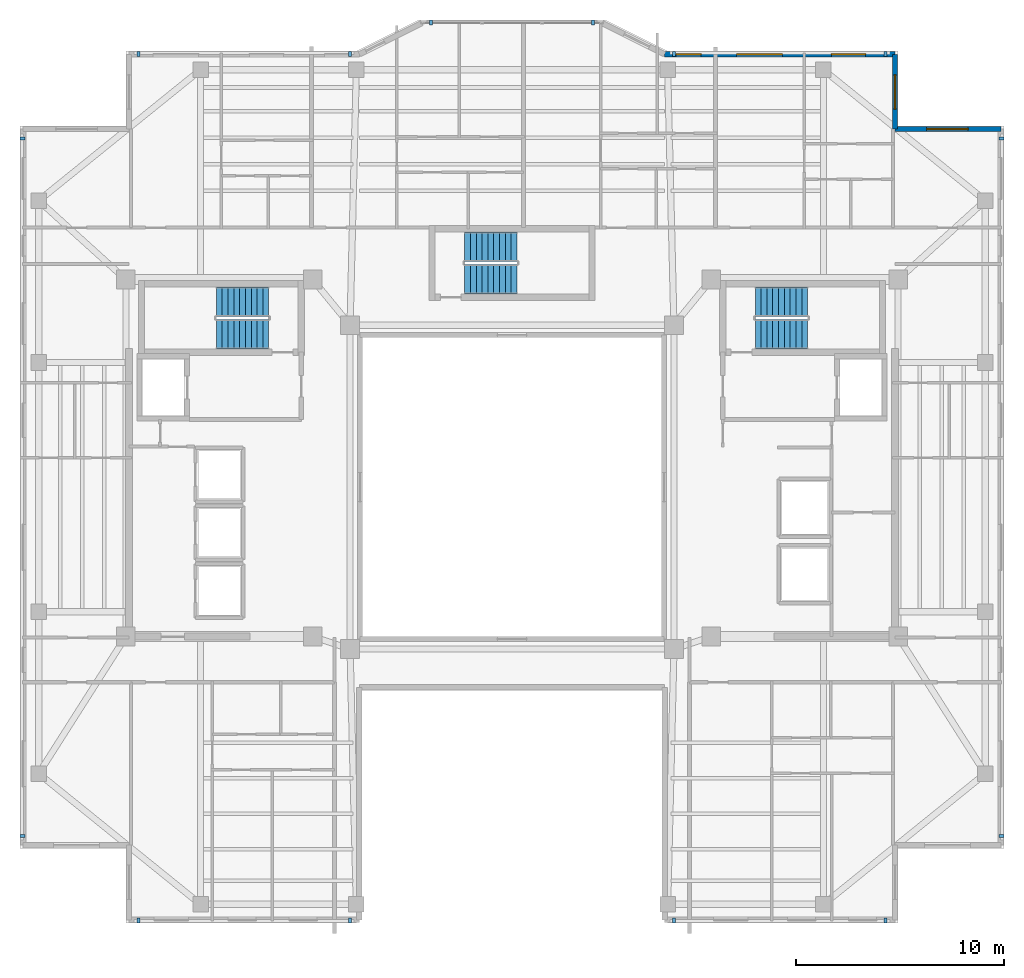
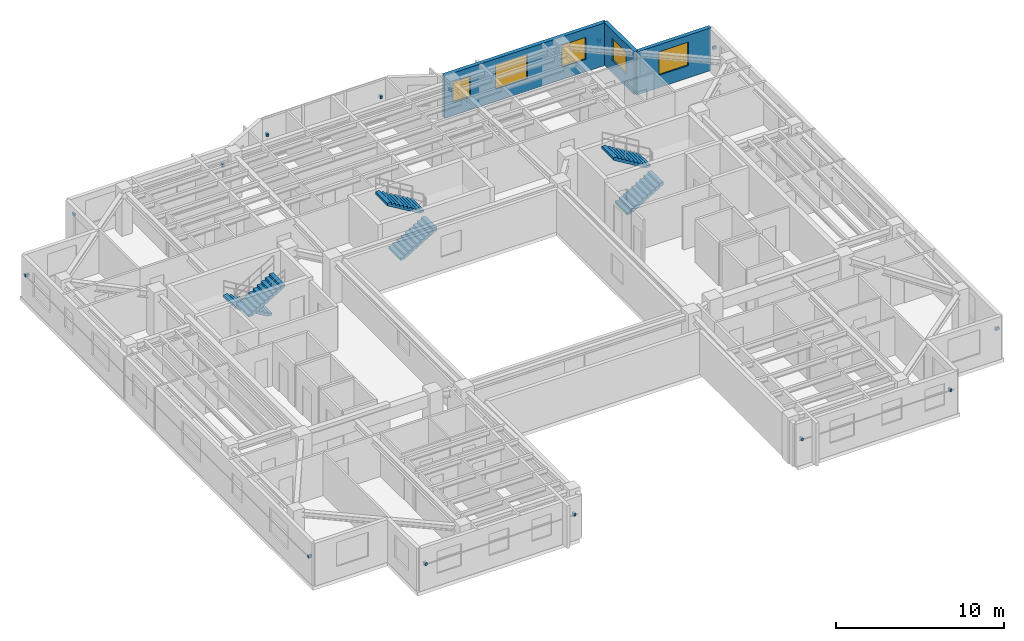
# One storey, part 9 of 12: 14 discrete accessories, 6 stair flights, 5 windows, 3 walls, 5 openings, 3 elements without a shape of their own.
"""IFC4 building model written with IfcOpenShell, lengths in metres."""

from ifc_helpers import new_model, si_unit, direction, frame, frame_2d, origin, origin_2d, place, context, subcontext, project, spatial, polyline, rectangle, outline, extrude, material, layer, layer_set, type_object, element, fill, aggregate, save


model = new_model("IFC4")

# Units and contexts
model_context = context("Model", 3, precision=1e-05, world=origin(), true_north=direction((0.0, 1.0)))
body_context = subcontext(model_context, "Body", "Model", "MODEL_VIEW")
ifc_project = project(units=[si_unit("LENGTHUNIT", "METRE"), si_unit("AREAUNIT", "SQUARE_METRE"), si_unit("VOLUMEUNIT", "CUBIC_METRE"), si_unit("PLANEANGLEUNIT", "RADIAN"), si_unit("MASSUNIT", "GRAM", prefix="KILO")], contexts=[model_context])

# Site, building, storey
site_placement = place(None, origin())
site = spatial("IfcSite", under=ifc_project, at=site_placement, CompositionType="ELEMENT")
building_placement = place(site_placement, origin())
building = spatial("IfcBuilding", under=site, at=building_placement, Name="Tarnavaz Court Tower", CompositionType="ELEMENT")
storey_placement = place(building_placement, frame((0.0, 0.0, 220.39990234375)))
storey = spatial("IfcBuildingStorey", under=building, at=storey_placement, Name="L60", CompositionType="ELEMENT", Elevation=220.39990234375)

# Wall, openings, windows
ifc_material_1 = material(Name="Precast Concrete C40/50", Category="concrete")
ifc_layer = layer(ifc_material_1, 0.260009765625)
ifc_layer_set = layer_set([ifc_layer], Name="Precast Concrete C40/50")
wall_type = type_object("IfcWallType", Name="WL-EXT-260", PredefinedType="SOLIDWALL", material=ifc_layer_set)
wall_1_placement = place(storey_placement, frame((7.35009765625, 20.85009765625, 0.0), z_axis=(0.0, 0.0, 1.0), x_axis=(1.0, 0.0, 0.0)))
wall_1 = element("IfcWall", 1, at=wall_1_placement, inside=storey, type_object=wall_type, Name="L60 Exterior Terracotta Facade Wall 09", PredefinedType="SOLIDWALL", context=body_context, shape_type="SweptSolid", body=[
    extrude(rectangle(XDim=11.099853515625, YDim=0.260009765625, at=frame_2d((5.5498046875, 0.0))), origin(), (0.0, 0.0, 1.0), 3.10009765625),
])
opening_1_placement = place(wall_1_placement, frame((0.55517578125, 0.0, 0.949951171875)))
opening_1 = element("IfcOpeningElement", 2, at=opening_1_placement, cuts=wall_1, Name="Opening W05", PredefinedType="OPENING", context=body_context, shape_type="SweptSolid", body=[
    extrude(rectangle(XDim=1.199951171875, YDim=1.5, at=frame_2d((0.60009765625, 0.75))), frame((0.0, 0.139892578125, 0.0), z_axis=(0.0, -1.0, 0.0), x_axis=(1.0, 0.0, 0.0)), (0.0, 0.0, 1.0), 0.280029296875),
])
opening_2_placement = place(wall_1_placement, frame((3.470703125, 0.0, 0.89990234375)))
opening_2 = element("IfcOpeningElement", 3, at=opening_2_placement, cuts=wall_1, Name="Opening W07", PredefinedType="OPENING", context=body_context, shape_type="SweptSolid", body=[
    extrude(rectangle(XDim=2.199951171875, YDim=1.75, at=frame_2d((1.10009765625, 0.875))), frame((0.0, 0.139892578125, 0.0), z_axis=(0.0, -1.0, 0.0), x_axis=(1.0, 0.0, 0.0)), (0.0, 0.0, 1.0), 0.280029296875),
])
opening_3_placement = place(wall_1_placement, frame((8.039794921875, 0.0, 0.89990234375)))
opening_3 = element("IfcOpeningElement", 4, at=opening_3_placement, cuts=wall_1, Name="Opening W02", PredefinedType="OPENING", context=body_context, shape_type="SweptSolid", body=[
    extrude(rectangle(XDim=1.64990234375, YDim=1.60009765625, at=frame_2d((0.824951171875, 0.800048828125))), frame((0.0, 0.139892578125, 0.0), z_axis=(0.0, -1.0, 0.0), x_axis=(1.0, 0.0, 0.0)), (0.0, 0.0, 1.0), 0.280029296875),
])
ifc_material_2 = material(Name="Double-Glazed Solar Low-E Glass", Category="glass")
window_type_1 = type_object("IfcWindowType", Name="WN-APT-1200", PartitioningType="SINGLE_PANEL", PredefinedType="WINDOW", material=ifc_material_2)
window_1_placement = place(opening_1_placement, origin())
window_1 = element("IfcWindow", 5, at=window_1_placement, inside=storey, type_object=window_type_1, Name="L60 Flat 03 Bedroom 2 Window", OverallHeight=1.5, OverallWidth=1.199951171875, PartitioningType="SINGLE_PANEL", PredefinedType="WINDOW", context=body_context, shape_type="SweptSolid", body=[
    extrude(rectangle(XDim=1.199951171875, YDim=1.5, at=frame_2d((0.60009765625, 0.75))), frame((0.0, 0.030029296875, 0.0), z_axis=(0.0, -1.0, 0.0), x_axis=(1.0, 0.0, 0.0)), (0.0, 0.0, 1.0), 0.06005859375),
])
fill(opening_1, window_1)
window_type_2 = type_object("IfcWindowType", Name="WN-APT-1650", PartitioningType="DOUBLE_PANEL_VERTICAL", PredefinedType="WINDOW", material=ifc_material_2)
window_2_placement = place(opening_3_placement, origin())
window_2 = element("IfcWindow", 6, at=window_2_placement, inside=storey, type_object=window_type_2, Name="L60 Flat 04 Bedroom 1 Window", OverallHeight=1.60009765625, OverallWidth=1.64990234375, PartitioningType="SINGLE_PANEL", PredefinedType="WINDOW", context=body_context, shape_type="SweptSolid", body=[
    extrude(rectangle(XDim=1.64990234375, YDim=1.60009765625, at=frame_2d((0.824951171875, 0.800048828125))), frame((0.0, 0.030029296875, 0.0), z_axis=(0.0, -1.0, 0.0), x_axis=(1.0, 0.0, 0.0)), (0.0, 0.0, 1.0), 0.06005859375),
])
fill(opening_3, window_2)
window_type_3 = type_object("IfcWindowType", Name="WN-APT-2200", PartitioningType="TRIPLE_PANEL_VERTICAL", PredefinedType="WINDOW", material=ifc_material_2)
window_3_placement = place(opening_2_placement, origin())
window_3 = element("IfcWindow", 7, at=window_3_placement, inside=storey, type_object=window_type_3, Name="L60 Flat 04 Living and Dining Room Window", OverallHeight=1.75, OverallWidth=2.199951171875, PartitioningType="SINGLE_PANEL", PredefinedType="WINDOW", context=body_context, shape_type="SweptSolid", body=[
    extrude(rectangle(XDim=2.199951171875, YDim=1.75, at=frame_2d((1.10009765625, 0.875))), frame((0.0, 0.030029296875, 0.0), z_axis=(0.0, -1.0, 0.0), x_axis=(1.0, 0.0, 0.0)), (0.0, 0.0, 1.0), 0.06005859375),
])
fill(opening_2, window_3)

# Wall, opening, window
wall_2_placement = place(storey_placement, frame((18.449951171875, 20.85009765625, 0.0), z_axis=(0.0, 0.0, 1.0), x_axis=(0.0, -1.0, 0.0)))
wall_2 = element("IfcWall", 8, at=wall_2_placement, inside=storey, type_object=wall_type, Name="L60 Exterior Terracotta Facade Wall 10", PredefinedType="SOLIDWALL", context=body_context, shape_type="SweptSolid", body=[
    extrude(rectangle(XDim=3.60009765625, YDim=0.260009765625, at=frame_2d((1.800048828125, 0.0))), origin(), (0.0, 0.0, 1.0), 3.10009765625),
])
opening_4_placement = place(wall_2_placement, frame((0.992431640625, 0.0, 0.89990234375)))
opening_4 = element("IfcOpeningElement", 9, at=opening_4_placement, cuts=wall_2, Name="Opening W02", PredefinedType="OPENING", context=body_context, shape_type="SweptSolid", body=[
    extrude(rectangle(XDim=1.64990234375, YDim=1.60009765625, at=frame_2d((0.824951171875, 0.800048828125))), frame((0.0, 0.139892578125, 0.0), z_axis=(0.0, -1.0, 0.0), x_axis=(1.0, 0.0, 0.0)), (0.0, 0.0, 1.0), 0.280029296875),
])
window_4_placement = place(opening_4_placement, origin())
window_4 = element("IfcWindow", 10, at=window_4_placement, inside=storey, type_object=window_type_2, Name="L60 Flat 04 Bedroom 1 Window", OverallHeight=1.60009765625, OverallWidth=1.64990234375, PartitioningType="SINGLE_PANEL", PredefinedType="WINDOW", context=body_context, shape_type="SweptSolid", body=[
    extrude(rectangle(XDim=1.64990234375, YDim=1.60009765625, at=frame_2d((0.824951171875, 0.800048828125))), frame((0.0, 0.030029296875, 0.0), z_axis=(0.0, -1.0, 0.0), x_axis=(1.0, 0.0, 0.0)), (0.0, 0.0, 1.0), 0.06005859375),
])
fill(opening_4, window_4)

wall_3_placement = place(storey_placement, frame((18.449951171875, 17.25, 0.0), z_axis=(0.0, 0.0, 1.0), x_axis=(1.0, 0.0, 0.0)))
wall_3 = element("IfcWall", 11, at=wall_3_placement, inside=storey, type_object=wall_type, Name="L60 Exterior Terracotta Facade Wall 11", PredefinedType="SOLIDWALL", context=body_context, shape_type="SweptSolid", body=[
    extrude(rectangle(XDim=5.10009765625, YDim=0.260009765625, at=frame_2d((2.550048828125, 0.0))), origin(), (0.0, 0.0, 1.0), 3.10009765625),
])
opening_5_placement = place(wall_3_placement, frame((1.52490234375, 0.0, 0.89990234375)))
opening_5 = element("IfcOpeningElement", 12, at=opening_5_placement, cuts=wall_3, Name="Opening W08", PredefinedType="OPENING", context=body_context, shape_type="SweptSolid", body=[
    extrude(rectangle(XDim=2.0, YDim=1.699951171875, at=frame_2d((1.0, 0.85009765625))), frame((0.0, 0.139892578125, 0.0), z_axis=(0.0, -1.0, 0.0), x_axis=(1.0, 0.0, 0.0)), (0.0, 0.0, 1.0), 0.280029296875),
])
window_type_4 = type_object("IfcWindowType", Name="WN-APT-2000", PartitioningType="DOUBLE_PANEL_VERTICAL", PredefinedType="WINDOW", material=ifc_material_2)
window_5_placement = place(opening_5_placement, origin())
window_5 = element("IfcWindow", 13, at=window_5_placement, inside=storey, type_object=window_type_4, Name="L60 North-East Corner Sunroom Study Window", OverallHeight=1.699951171875, OverallWidth=2.0, PartitioningType="SINGLE_PANEL", PredefinedType="WINDOW", context=body_context, shape_type="SweptSolid", body=[
    extrude(rectangle(XDim=2.0, YDim=1.699951171875, at=frame_2d((1.0, 0.85009765625))), frame((0.0, 0.030029296875, 0.0), z_axis=(0.0, -1.0, 0.0), x_axis=(1.0, 0.0, 0.0)), (0.0, 0.0, 1.0), 0.06005859375),
])
fill(opening_5, window_5)

# Stair, stair flights
ifc_material_3 = material(Name="Concrete C40/50", Category="concrete")
stair_type = type_object("IfcStairType", Name="ST-TWR-20R", PredefinedType="HALF_TURN_STAIR", material=ifc_material_3)
stair_1_placement = place(storey_placement, origin())
stair_1 = element("IfcStair", 14, at=stair_1_placement, inside=storey, type_object=stair_type, Name="L60 West Core Pressurized Exit Stair ST-W1", PredefinedType="HALF_TURN_STAIR")
stair_flight_type = type_object("IfcStairFlightType", Name="SFL-RC-20R", PredefinedType="STRAIGHT", material=ifc_material_3)
stair_flight_1_placement = place(storey_placement, frame((-11.719970703125, 8.929931640625, 0.0), z_axis=(0.0, 0.0, 1.0), x_axis=(-1.0, 0.0, 0.0)))
stair_flight_1 = element("IfcStairFlight", 15, at=stair_flight_1_placement, type_object=stair_flight_type, Name="ST-W1 flight 1", NumberOfRisers=10, NumberOfTreads=9, PredefinedType="STRAIGHT", RiserHeight=0.1675, TreadLength=0.28, context=body_context, shape_type="SweptSolid", body=[
    extrude(outline(polyline([(0.0, 0.0), (0.0, 0.16748046875), (0.280029296875, 0.16748046875), (0.280029296875, 0.3349609375), (0.56005859375, 0.3349609375), (0.56005859375, 0.50244140625), (0.840087890625, 0.50244140625), (0.840087890625, 0.669921875), (1.1201171875, 0.669921875), (1.1201171875, 0.83740234375), (1.39990234375, 0.83740234375), (1.39990234375, 1.0048828125), (1.679931640625, 1.0048828125), (1.679931640625, 1.172607421875), (1.9599609375, 1.172607421875), (1.9599609375, 1.340087890625), (2.239990234375, 1.340087890625), (2.239990234375, 1.507568359375), (2.52001953125, 1.507568359375), (2.52001953125, 1.675048828125), (2.52001953125, 1.332763671875), (0.2919921875, 0.0), (0.0, 0.0)])), frame((0.0, 0.7099609375, 0.0), z_axis=(0.0, -1.0, 0.0), x_axis=(1.0, 0.0, 0.0)), (0.0, 0.0, 1.0), 1.419921875),
])
stair_flight_2_placement = place(storey_placement, frame((-14.239990234375, 7.360107421875, 1.675048828125), z_axis=(0.0, 0.0, 1.0), x_axis=(1.0, 0.0, 0.0)))
stair_flight_2 = element("IfcStairFlight", 16, at=stair_flight_2_placement, type_object=stair_flight_type, Name="ST-W1 flight 2", NumberOfRisers=10, NumberOfTreads=9, PredefinedType="STRAIGHT", RiserHeight=0.1675, TreadLength=0.28, context=body_context, shape_type="SweptSolid", body=[
    extrude(outline(polyline([(0.0, 0.0), (0.0, 0.16748046875), (0.280029296875, 0.16748046875), (0.280029296875, 0.3349609375), (0.56005859375, 0.3349609375), (0.56005859375, 0.50244140625), (0.840087890625, 0.50244140625), (0.840087890625, 0.669921875), (1.1201171875, 0.669921875), (1.1201171875, 0.83740234375), (1.39990234375, 0.83740234375), (1.39990234375, 1.0048828125), (1.679931640625, 1.0048828125), (1.679931640625, 1.172607421875), (1.9599609375, 1.172607421875), (1.9599609375, 1.340087890625), (2.239990234375, 1.340087890625), (2.239990234375, 1.507568359375), (2.52001953125, 1.507568359375), (2.52001953125, 1.675048828125), (2.52001953125, 1.332763671875), (0.2919921875, 0.0), (0.0, 0.0)])), frame((0.0, 0.7099609375, 0.0), z_axis=(0.0, -1.0, 0.0), x_axis=(1.0, 0.0, 0.0)), (0.0, 0.0, 1.0), 1.419921875),
])
aggregate(stair_1, [stair_flight_1, stair_flight_2])

stair_2_placement = place(storey_placement, origin())
stair_2 = element("IfcStair", 17, at=stair_2_placement, inside=storey, type_object=stair_type, Name="L60 East Core Pressurized Exit Stair ST-E1", PredefinedType="HALF_TURN_STAIR")
stair_flight_3_placement = place(storey_placement, frame((11.719970703125, 7.360107421875, 0.0), z_axis=(0.0, 0.0, 1.0), x_axis=(1.0, 0.0, 0.0)))
stair_flight_3 = element("IfcStairFlight", 18, at=stair_flight_3_placement, type_object=stair_flight_type, Name="ST-E1 flight 1", NumberOfRisers=10, NumberOfTreads=9, PredefinedType="STRAIGHT", RiserHeight=0.1675, TreadLength=0.28, context=body_context, shape_type="SweptSolid", body=[
    extrude(outline(polyline([(0.0, 0.0), (0.0, 0.16748046875), (0.280029296875, 0.16748046875), (0.280029296875, 0.3349609375), (0.56005859375, 0.3349609375), (0.56005859375, 0.50244140625), (0.840087890625, 0.50244140625), (0.840087890625, 0.669921875), (1.1201171875, 0.669921875), (1.1201171875, 0.83740234375), (1.39990234375, 0.83740234375), (1.39990234375, 1.0048828125), (1.679931640625, 1.0048828125), (1.679931640625, 1.172607421875), (1.9599609375, 1.172607421875), (1.9599609375, 1.340087890625), (2.239990234375, 1.340087890625), (2.239990234375, 1.507568359375), (2.52001953125, 1.507568359375), (2.52001953125, 1.675048828125), (2.52001953125, 1.332763671875), (0.2919921875, 0.0), (0.0, 0.0)])), frame((0.0, 0.7099609375, 0.0), z_axis=(0.0, -1.0, 0.0), x_axis=(1.0, 0.0, 0.0)), (0.0, 0.0, 1.0), 1.419921875),
])
stair_flight_4_placement = place(storey_placement, frame((14.239990234375, 8.929931640625, 1.675048828125), z_axis=(0.0, 0.0, 1.0), x_axis=(-1.0, 0.0, 0.0)))
stair_flight_4 = element("IfcStairFlight", 19, at=stair_flight_4_placement, type_object=stair_flight_type, Name="ST-E1 flight 2", NumberOfRisers=10, NumberOfTreads=9, PredefinedType="STRAIGHT", RiserHeight=0.1675, TreadLength=0.28, context=body_context, shape_type="SweptSolid", body=[
    extrude(outline(polyline([(0.0, 0.0), (0.0, 0.16748046875), (0.280029296875, 0.16748046875), (0.280029296875, 0.3349609375), (0.56005859375, 0.3349609375), (0.56005859375, 0.50244140625), (0.840087890625, 0.50244140625), (0.840087890625, 0.669921875), (1.1201171875, 0.669921875), (1.1201171875, 0.83740234375), (1.39990234375, 0.83740234375), (1.39990234375, 1.0048828125), (1.679931640625, 1.0048828125), (1.679931640625, 1.172607421875), (1.9599609375, 1.172607421875), (1.9599609375, 1.340087890625), (2.239990234375, 1.340087890625), (2.239990234375, 1.507568359375), (2.52001953125, 1.507568359375), (2.52001953125, 1.675048828125), (2.52001953125, 1.332763671875), (0.2919921875, 0.0), (0.0, 0.0)])), frame((0.0, 0.7099609375, 0.0), z_axis=(0.0, -1.0, 0.0), x_axis=(1.0, 0.0, 0.0)), (0.0, 0.0, 1.0), 1.419921875),
])
aggregate(stair_2, [stair_flight_3, stair_flight_4])

stair_3_placement = place(storey_placement, origin())
stair_3 = element("IfcStair", 20, at=stair_3_placement, inside=storey, type_object=stair_type, Name="L60 North Ring Pressurized Exit Stair ST-N1", PredefinedType="HALF_TURN_STAIR")
stair_flight_5_placement = place(storey_placement, frame((-2.280029296875, 10.010009765625, 0.0), z_axis=(0.0, 0.0, 1.0), x_axis=(1.0, 0.0, 0.0)))
stair_flight_5 = element("IfcStairFlight", 21, at=stair_flight_5_placement, type_object=stair_flight_type, Name="ST-N1 flight 1", NumberOfRisers=10, NumberOfTreads=9, PredefinedType="STRAIGHT", RiserHeight=0.1675, TreadLength=0.28, context=body_context, shape_type="SweptSolid", body=[
    extrude(outline(polyline([(0.0, 0.0), (0.0, 0.16748046875), (0.280029296875, 0.16748046875), (0.280029296875, 0.3349609375), (0.56005859375, 0.3349609375), (0.56005859375, 0.50244140625), (0.840087890625, 0.50244140625), (0.840087890625, 0.669921875), (1.1201171875, 0.669921875), (1.1201171875, 0.83740234375), (1.39990234375, 0.83740234375), (1.39990234375, 1.0048828125), (1.679931640625, 1.0048828125), (1.679931640625, 1.172607421875), (1.9599609375, 1.172607421875), (1.9599609375, 1.340087890625), (2.239990234375, 1.340087890625), (2.239990234375, 1.507568359375), (2.52001953125, 1.507568359375), (2.52001953125, 1.675048828125), (2.52001953125, 1.332763671875), (0.2919921875, 0.0), (0.0, 0.0)])), frame((0.0, 0.7099609375, 0.0), z_axis=(0.0, -1.0, 0.0), x_axis=(1.0, 0.0, 0.0)), (0.0, 0.0, 1.0), 1.419921875),
])
stair_flight_6_placement = place(storey_placement, frame((0.239990234375, 11.580078125, 1.675048828125), z_axis=(0.0, 0.0, 1.0), x_axis=(-1.0, 0.0, 0.0)))
stair_flight_6 = element("IfcStairFlight", 22, at=stair_flight_6_placement, type_object=stair_flight_type, Name="ST-N1 flight 2", NumberOfRisers=10, NumberOfTreads=9, PredefinedType="STRAIGHT", RiserHeight=0.1675, TreadLength=0.28, context=body_context, shape_type="SweptSolid", body=[
    extrude(outline(polyline([(0.0, 0.0), (0.0, 0.16748046875), (0.280029296875, 0.16748046875), (0.280029296875, 0.3349609375), (0.56005859375, 0.3349609375), (0.56005859375, 0.50244140625), (0.840087890625, 0.50244140625), (0.840087890625, 0.669921875), (1.1201171875, 0.669921875), (1.1201171875, 0.83740234375), (1.39990234375, 0.83740234375), (1.39990234375, 1.0048828125), (1.679931640625, 1.0048828125), (1.679931640625, 1.172607421875), (1.9599609375, 1.172607421875), (1.9599609375, 1.340087890625), (2.239990234375, 1.340087890625), (2.239990234375, 1.507568359375), (2.52001953125, 1.507568359375), (2.52001953125, 1.675048828125), (2.52001953125, 1.332763671875), (0.2919921875, 0.0), (0.0, 0.0)])), frame((0.0, 0.7099609375, 0.0), z_axis=(0.0, -1.0, 0.0), x_axis=(1.0, 0.0, 0.0)), (0.0, 0.0, 1.0), 1.419921875),
])
aggregate(stair_3, [stair_flight_5, stair_flight_6])

# Discrete accessories
ifc_material_4 = material(Name="Anodised Aluminium 6063-T6", Category="aluminium")
discrete_accessory_type = type_object("IfcDiscreteAccessoryType", Name="DA-BRKT-ALU", PredefinedType="BRACKET", material=ifc_material_4)
for number, where, z_axis, x_axis, name in (
    (23, (-23.570068359375, -16.800048828125, 1.75), (0.0, 0.0, 1.0), (0.0, 1.0, 0.0), "L60 Baguette Outrigger Bracket FBG02-1"),
    (24, (-23.570068359375, 16.800048828125, 1.75), (0.0, 0.0, 1.0), (0.0, 1.0, 0.0), "L60 Baguette Outrigger Bracket FBG02-2"),
    (25, (-18.0, 20.8701171875, 1.75), (0.0, 0.0, 1.0), (1.0, 0.0, 0.0), "L60 Baguette Outrigger Bracket FBG05-1"),
    (26, (-7.800048828125, 20.8701171875, 1.75), (0.0, 0.0, 1.0), (1.0, 0.0, 0.0), "L60 Baguette Outrigger Bracket FBG05-2"),
    (27, (-3.89990234375, 22.3701171875, 1.7001953125), (0.0, 0.0, 1.0), (1.0, 0.0, 0.0), "L60 Baguette Outrigger Bracket PBG7-1"),
    (28, (3.89990234375, 22.3701171875, 1.7001953125), (0.0, 0.0, 1.0), (1.0, 0.0, 0.0), "L60 Baguette Outrigger Bracket PBG7-2"),
    (29, (7.800048828125, 20.8701171875, 1.75), (0.0, 0.0, 1.0), (1.0, 0.0, 0.0), "L60 Baguette Outrigger Bracket FBG09-1"),
    (30, (18.0, 20.8701171875, 1.75), (0.0, 0.0, 1.0), (1.0, 0.0, 0.0), "L60 Baguette Outrigger Bracket FBG09-2"),
    (31, (23.570068359375, 16.800048828125, 1.75), (0.0, 0.0, 1.0), (0.0, -1.0, 0.0), "L60 Baguette Outrigger Bracket FBG12-1"),
    (32, (23.570068359375, -16.800048828125, 1.75), (0.0, 0.0, 1.0), (0.0, -1.0, 0.0), "L60 Baguette Outrigger Bracket FBG12-2"),
    (33, (18.0, -20.8701171875, 1.75), (0.0, 0.0, 1.0), (-1.0, 0.0, 0.0), "L60 Baguette Outrigger Bracket FBG15-1"),
    (34, (7.800048828125, -20.8701171875, 1.75), (0.0, 0.0, 1.0), (-1.0, 0.0, 0.0), "L60 Baguette Outrigger Bracket FBG15-2"),
    (35, (-7.800048828125, -20.8701171875, 1.75), (0.0, 0.0, 1.0), (-1.0, 0.0, 0.0), "L60 Baguette Outrigger Bracket FBG19-1"),
    (36, (-18.0, -20.8701171875, 1.75), (0.0, 0.0, 1.0), (-1.0, 0.0, 0.0), "L60 Baguette Outrigger Bracket FBG19-2"),
):
    element("IfcDiscreteAccessory", number, at=place(storey_placement, frame(where, z_axis=z_axis, x_axis=x_axis)), inside=storey, type_object=discrete_accessory_type, Name=name, PredefinedType="BRACKET", context=body_context, shape_type="SweptSolid", body=[
        extrude(rectangle(XDim=0.139892578125, YDim=0.239990234375, at=origin_2d()), origin(), (0.0, 0.0, 1.0), 0.199951171875),
    ])

save(model, "model.ifc")
